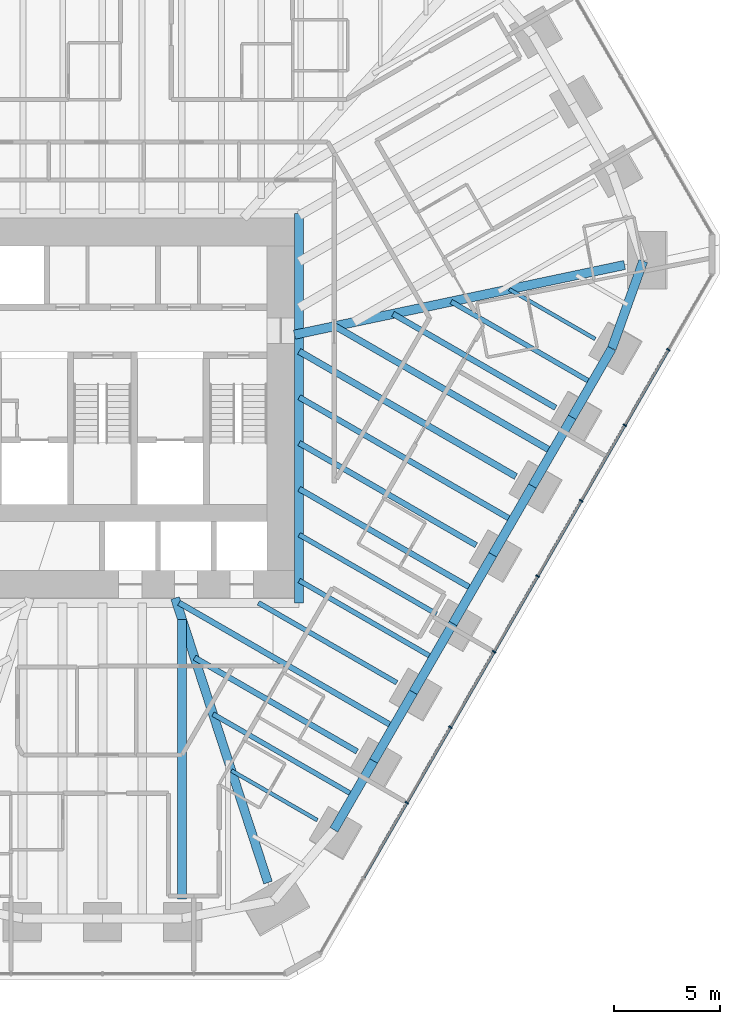
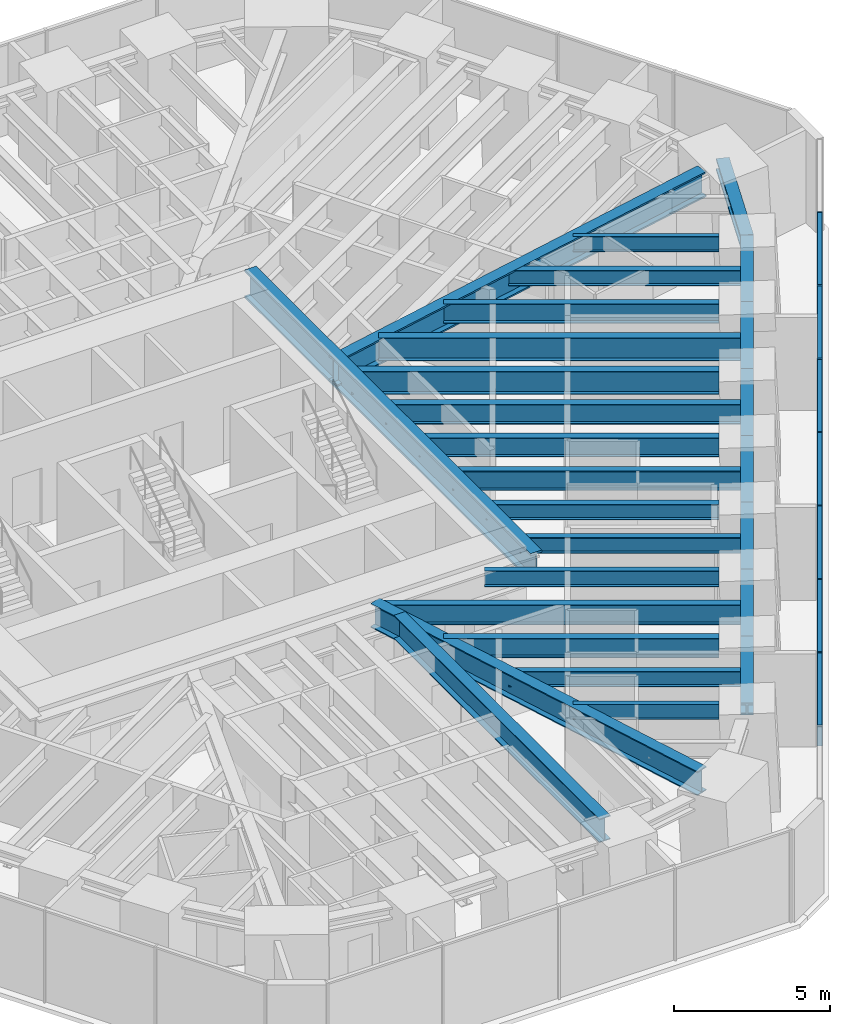
# One storey, part 5 of 17: 27 beams, 14 members, 1 element without a shape of its own.
"""IFC4 building model written with IfcOpenShell, lengths in metres."""

from ifc_helpers import new_model, si_unit, direction, frame, origin, origin_2d, place, context, subcontext, project, spatial, rectangle, i_section, extrude, material, material_profile, profile_set, type_object, element, aggregate, save


model = new_model("IFC4")

# Units and contexts
model_context = context("Model", 3, precision=1e-05, world=origin(), true_north=direction((0.0, 1.0)))
body_context = subcontext(model_context, "Body", "Model", "MODEL_VIEW")
ifc_project = project(units=[si_unit("LENGTHUNIT", "METRE"), si_unit("AREAUNIT", "SQUARE_METRE"), si_unit("VOLUMEUNIT", "CUBIC_METRE"), si_unit("PLANEANGLEUNIT", "RADIAN"), si_unit("MASSUNIT", "GRAM", prefix="KILO")], contexts=[model_context])

# Site, building, storey
site_placement = place(None, origin())
site = spatial("IfcSite", under=ifc_project, at=site_placement, CompositionType="ELEMENT")
building_placement = place(site_placement, origin())
building = spatial("IfcBuilding", under=site, at=building_placement, Name="Sandreach Pilgrim Tower", CompositionType="ELEMENT")
storey_placement = place(building_placement, frame((0.0, 0.0, 169.0)))
storey = spatial("IfcBuildingStorey", under=building, at=storey_placement, Name="L42", CompositionType="ELEMENT", Elevation=169.0)

# Beams
ifc_material_1 = material(Name="Steel ASTM A913 Grade 65", Category="steel")
ifc_material_profile_1 = material_profile(ifc_material_1, i_section(OverallWidth=0.4267578125, OverallDepth=0.482666015625, WebThickness=0.05126953125, FlangeThickness=0.08154296875, at=origin_2d()), Name="W14X455")
ifc_profile_set_1 = profile_set([ifc_material_profile_1], Name="Steel ASTM A913 Grade 65")
beam_type_1 = type_object("IfcBeamType", Name="Belt truss chord W14X455", PredefinedType="BEAM", material=ifc_profile_set_1)
beam_1_placement = place(storey_placement, frame((25.482177734375, 5.380126953125, 3.398681640625), z_axis=(-0.338362224063, -0.941015943184, 0.0), x_axis=(0.941015943184, -0.338362224063, 0.0)))
element("IfcBeam", 1, at=beam_1_placement, inside=storey, type_object=beam_type_1, Name="BM L42 BTB13", PredefinedType="BEAM", context=body_context, shape_type="SweptSolid", body=[
    extrude(i_section(OverallWidth=0.4267578125, OverallDepth=0.482666015625, WebThickness=0.05126953125, FlangeThickness=0.08154296875, at=origin_2d()), origin(), (0.0, 0.0, 1.0), 4.38037109375),
])
beam_2_placement = place(storey_placement, frame((24.0, 1.258056640625, 3.398681640625), z_axis=(-0.499993700073, -0.866029041019, 0.0), x_axis=(0.866029041019, -0.499993700073, 0.0)))
element("IfcBeam", 2, at=beam_2_placement, inside=storey, type_object=beam_type_1, Name="BM L42 BTB14", PredefinedType="BEAM", context=body_context, shape_type="SweptSolid", body=[
    extrude(i_section(OverallWidth=0.4267578125, OverallDepth=0.482666015625, WebThickness=0.05126953125, FlangeThickness=0.08154296875, at=origin_2d()), origin(), (0.0, 0.0, 1.0), 3.73974609375),
])
beam_3_placement = place(storey_placement, frame((22.130126953125, -1.980712890625, 3.398681640625), z_axis=(-0.500042659475, -0.866000772924, 0.0), x_axis=(0.866000772924, -0.500042659475, 0.0)))
element("IfcBeam", 3, at=beam_3_placement, inside=storey, type_object=beam_type_1, Name="BM L42 BTB15", PredefinedType="BEAM", context=body_context, shape_type="SweptSolid", body=[
    extrude(i_section(OverallWidth=0.4267578125, OverallDepth=0.482666015625, WebThickness=0.05126953125, FlangeThickness=0.08154296875, at=origin_2d()), origin(), (0.0, 0.0, 1.0), 3.739990234375),
])
beam_4_placement = place(storey_placement, frame((20.260009765625, -5.219482421875, 3.398681640625), z_axis=(-0.499993700073, -0.866029041019, 0.0), x_axis=(0.866029041019, -0.499993700073, 0.0)))
element("IfcBeam", 4, at=beam_4_placement, inside=storey, type_object=beam_type_1, Name="BM L42 BTB16", PredefinedType="BEAM", context=body_context, shape_type="SweptSolid", body=[
    extrude(i_section(OverallWidth=0.4267578125, OverallDepth=0.482666015625, WebThickness=0.05126953125, FlangeThickness=0.08154296875, at=origin_2d()), origin(), (0.0, 0.0, 1.0), 3.73974609375),
])
for number, where, z_axis, x_axis, name in (
    (5, (18.39013671875, -8.458251953125, 3.398681640625), (-0.499965433771, -0.866045359686, 0.0), (0.866045359686, -0.499965433771, 0.0), "BM L42 BTB17"),
    (6, (16.520263671875, -11.697265625, 3.398681640625), (-0.500042659475, -0.866000772924, 0.0), (0.866000772924, -0.500042659475, 0.0), "BM L42 BTB18"),
):
    element("IfcBeam", number, at=place(storey_placement, frame(where, z_axis=z_axis, x_axis=x_axis)), inside=storey, type_object=beam_type_1, Name=name, PredefinedType="BEAM", context=body_context, shape_type="SweptSolid", body=[
        extrude(i_section(OverallWidth=0.4267578125, OverallDepth=0.482666015625, WebThickness=0.05126953125, FlangeThickness=0.08154296875, at=origin_2d()), origin(), (0.0, 0.0, 1.0), 3.739990234375),
    ])
for number, where, z_axis, x_axis, name in (
    (7, (14.650146484375, -14.93603515625, 3.398681640625), (-0.499993700073, -0.866029041019, 0.0), (0.866029041019, -0.499993700073, 0.0), "BM L42 BTB19"),
    (8, (12.7802734375, -18.1748046875, 3.398681640625), (-0.499993700073, -0.866029041019, 0.0), (0.866029041019, -0.499993700073, 0.0), "BM L42 BTB20"),
):
    element("IfcBeam", number, at=place(storey_placement, frame(where, z_axis=z_axis, x_axis=x_axis)), inside=storey, type_object=beam_type_1, Name=name, PredefinedType="BEAM", context=body_context, shape_type="SweptSolid", body=[
        extrude(i_section(OverallWidth=0.4267578125, OverallDepth=0.482666015625, WebThickness=0.05126953125, FlangeThickness=0.08154296875, at=origin_2d()), origin(), (0.0, 0.0, 1.0), 3.73974609375),
    ])

# Curtain wall, members
ifc_material_2 = material(Name="Aluminium framed curtain wall", Category="aluminium")
curtain_wall_type = type_object("IfcCurtainWallType", Name="Hotel tower curtain wall", PredefinedType="NOTDEFINED", material=ifc_material_2)
curtain_wall_placement = place(storey_placement, origin())
curtain_wall = element("IfcCurtainWall", 9, at=curtain_wall_placement, inside=storey, type_object=curtain_wall_type, Name="CW-2 L42 SE", PredefinedType="NOTDEFINED")
ifc_material_3 = material(Name="Aluminium extrusion", Category="aluminium")
ifc_material_profile_2 = material_profile(ifc_material_3, rectangle(XDim=0.06494140625, YDim=0.179931640625, at=origin_2d()), Name="CW-2M 65X180")
ifc_profile_set_2 = profile_set([ifc_material_profile_2], Name="Aluminium extrusion")
member_type_1 = type_object("IfcMemberType", Name="CW-2 mullion", PredefinedType="MULLION", material=ifc_profile_set_2)
member_1_placement = place(storey_placement, frame((26.66748046875, 1.20166015625, 0.0), z_axis=(0.0, 0.0, 1.0), x_axis=(-0.5, -0.866025403784, 0.0)))
member_1 = element("IfcMember", 10, at=member_1_placement, type_object=member_type_1, Name="CW-2 mullion 2", PredefinedType="MULLION", context=body_context, shape_type="SweptSolid", body=[
    extrude(rectangle(XDim=0.06494140625, YDim=0.179931640625, at=origin_2d()), origin(), (0.0, 0.0, 1.0), 3.639892578125),
])
member_2_placement = place(storey_placement, frame((24.614013671875, -2.35498046875, 0.0), z_axis=(0.0, 0.0, 1.0), x_axis=(-0.5, -0.866025403784, 0.0)))
member_2 = element("IfcMember", 11, at=member_2_placement, type_object=member_type_1, Name="CW-2 mullion 3", PredefinedType="MULLION", context=body_context, shape_type="SweptSolid", body=[
    extrude(rectangle(XDim=0.06494140625, YDim=0.179931640625, at=origin_2d()), origin(), (0.0, 0.0, 1.0), 3.639892578125),
])
member_3_placement = place(storey_placement, frame((22.560302734375, -5.911865234375, 0.0), z_axis=(0.0, 0.0, 1.0), x_axis=(-0.5, -0.866025403784, 0.0)))
member_3 = element("IfcMember", 12, at=member_3_placement, type_object=member_type_1, Name="CW-2 mullion 4", PredefinedType="MULLION", context=body_context, shape_type="SweptSolid", body=[
    extrude(rectangle(XDim=0.06494140625, YDim=0.179931640625, at=origin_2d()), origin(), (0.0, 0.0, 1.0), 3.639892578125),
])
member_4_placement = place(storey_placement, frame((20.5068359375, -9.468505859375, 0.0), z_axis=(0.0, 0.0, 1.0), x_axis=(-0.5, -0.866025403784, 0.0)))
member_4 = element("IfcMember", 13, at=member_4_placement, type_object=member_type_1, Name="CW-2 mullion 5", PredefinedType="MULLION", context=body_context, shape_type="SweptSolid", body=[
    extrude(rectangle(XDim=0.06494140625, YDim=0.179931640625, at=origin_2d()), origin(), (0.0, 0.0, 1.0), 3.639892578125),
])
member_5_placement = place(storey_placement, frame((18.453369140625, -13.025146484375, 0.0), z_axis=(0.0, 0.0, 1.0), x_axis=(-0.5, -0.866025403784, 0.0)))
member_5 = element("IfcMember", 14, at=member_5_placement, type_object=member_type_1, Name="CW-2 mullion 6", PredefinedType="MULLION", context=body_context, shape_type="SweptSolid", body=[
    extrude(rectangle(XDim=0.06494140625, YDim=0.179931640625, at=origin_2d()), origin(), (0.0, 0.0, 1.0), 3.639892578125),
])
member_6_placement = place(storey_placement, frame((16.39990234375, -16.58203125, 0.0), z_axis=(0.0, 0.0, 1.0), x_axis=(-0.5, -0.866025403784, 0.0)))
member_6 = element("IfcMember", 15, at=member_6_placement, type_object=member_type_1, Name="CW-2 mullion 7", PredefinedType="MULLION", context=body_context, shape_type="SweptSolid", body=[
    extrude(rectangle(XDim=0.06494140625, YDim=0.179931640625, at=origin_2d()), origin(), (0.0, 0.0, 1.0), 3.639892578125),
])
member_7_placement = place(storey_placement, frame((14.346435546875, -20.138671875, 0.0), z_axis=(0.0, 0.0, 1.0), x_axis=(-0.5, -0.866025403784, 0.0)))
member_7 = element("IfcMember", 16, at=member_7_placement, type_object=member_type_1, Name="CW-2 mullion 8", PredefinedType="MULLION", context=body_context, shape_type="SweptSolid", body=[
    extrude(rectangle(XDim=0.06494140625, YDim=0.179931640625, at=origin_2d()), origin(), (0.0, 0.0, 1.0), 3.639892578125),
])
ifc_material_4 = material(Name="Aluminium extrusion", Category="aluminium")
ifc_material_profile_3 = material_profile(ifc_material_4, rectangle(XDim=0.139892578125, YDim=0.070068359375, at=origin_2d()), Name="CW-2T 140X70")
ifc_profile_set_3 = profile_set([ifc_material_profile_3], Name="Aluminium extrusion")
member_type_2 = type_object("IfcMemberType", Name="CW-2 transom", PredefinedType="USERDEFINED", material=ifc_profile_set_3)
member_8_placement = place(storey_placement, frame((26.651123046875, 1.173583984375, 3.60498046875), z_axis=(-0.499997818338, -0.866026663364, 0.0), x_axis=(0.866026663364, -0.499997818338, 0.0)))
member_8 = element("IfcMember", 17, at=member_8_placement, type_object=member_type_2, Name="CW-2 head transom 2", ObjectType="TRANSOM", PredefinedType="USERDEFINED", context=body_context, shape_type="SweptSolid", body=[
    extrude(rectangle(XDim=0.139892578125, YDim=0.070068359375, at=origin_2d()), origin(), (0.0, 0.0, 1.0), 4.0419921875),
])
member_9_placement = place(storey_placement, frame((24.59765625, -2.38330078125, 3.60498046875), z_axis=(-0.500023973715, -0.866011562111, 0.0), x_axis=(0.866011562111, -0.500023973715, 0.0)))
member_9 = element("IfcMember", 18, at=member_9_placement, type_object=member_type_2, Name="CW-2 head transom 3", ObjectType="TRANSOM", PredefinedType="USERDEFINED", context=body_context, shape_type="SweptSolid", body=[
    extrude(rectangle(XDim=0.139892578125, YDim=0.070068359375, at=origin_2d()), origin(), (0.0, 0.0, 1.0), 4.041748046875),
])
member_10_placement = place(storey_placement, frame((22.544189453125, -5.93994140625, 3.60498046875), z_axis=(-0.499997818338, -0.866026663364, 0.0), x_axis=(0.866026663364, -0.499997818338, 0.0)))
member_10 = element("IfcMember", 19, at=member_10_placement, type_object=member_type_2, Name="CW-2 head transom 4", ObjectType="TRANSOM", PredefinedType="USERDEFINED", context=body_context, shape_type="SweptSolid", body=[
    extrude(rectangle(XDim=0.139892578125, YDim=0.070068359375, at=origin_2d()), origin(), (0.0, 0.0, 1.0), 4.0419921875),
])
member_11_placement = place(storey_placement, frame((20.49072265625, -9.49658203125, 3.60498046875), z_axis=(-0.499997818338, -0.866026663364, 0.0), x_axis=(0.866026663364, -0.499997818338, 0.0)))
member_11 = element("IfcMember", 20, at=member_11_placement, type_object=member_type_2, Name="CW-2 head transom 5", ObjectType="TRANSOM", PredefinedType="USERDEFINED", context=body_context, shape_type="SweptSolid", body=[
    extrude(rectangle(XDim=0.139892578125, YDim=0.070068359375, at=origin_2d()), origin(), (0.0, 0.0, 1.0), 4.0419921875),
])
member_12_placement = place(storey_placement, frame((18.437255859375, -13.053466796875, 3.60498046875), z_axis=(-0.499997818338, -0.866026663364, 0.0), x_axis=(0.866026663364, -0.499997818338, 0.0)))
member_12 = element("IfcMember", 21, at=member_12_placement, type_object=member_type_2, Name="CW-2 head transom 6", ObjectType="TRANSOM", PredefinedType="USERDEFINED", context=body_context, shape_type="SweptSolid", body=[
    extrude(rectangle(XDim=0.139892578125, YDim=0.070068359375, at=origin_2d()), origin(), (0.0, 0.0, 1.0), 4.0419921875),
])
member_13_placement = place(storey_placement, frame((16.3837890625, -16.610107421875, 3.60498046875), z_axis=(-0.499997818338, -0.866026663364, 0.0), x_axis=(0.866026663364, -0.499997818338, 0.0)))
member_13 = element("IfcMember", 22, at=member_13_placement, type_object=member_type_2, Name="CW-2 head transom 7", ObjectType="TRANSOM", PredefinedType="USERDEFINED", context=body_context, shape_type="SweptSolid", body=[
    extrude(rectangle(XDim=0.139892578125, YDim=0.070068359375, at=origin_2d()), origin(), (0.0, 0.0, 1.0), 4.0419921875),
])
member_14_placement = place(storey_placement, frame((14.330322265625, -20.1669921875, 3.60498046875), z_axis=(-0.500023973715, -0.866011562111, 0.0), x_axis=(0.866011562111, -0.500023973715, 0.0)))
member_14 = element("IfcMember", 23, at=member_14_placement, type_object=member_type_2, Name="CW-2 head transom 8", ObjectType="TRANSOM", PredefinedType="USERDEFINED", context=body_context, shape_type="SweptSolid", body=[
    extrude(rectangle(XDim=0.139892578125, YDim=0.070068359375, at=origin_2d()), origin(), (0.0, 0.0, 1.0), 4.041748046875),
])
aggregate(curtain_wall, [member_1, member_2, member_3, member_4, member_5, member_6, member_7, member_8, member_9, member_10, member_11, member_12, member_13, member_14])

# Beams
ifc_material_5 = material(Name="Steel ASTM A992 Grade 50", Category="steel")
ifc_material_profile_4 = material_profile(ifc_material_5, i_section(OverallWidth=0.424072265625, OverallDepth=1.09228515625, WebThickness=0.04541015625, FlangeThickness=0.08203125, at=origin_2d()), Name="W40X593")
ifc_profile_set_4 = profile_set([ifc_material_profile_4], Name="Steel ASTM A992 Grade 50")
beam_type_2 = type_object("IfcBeamType", Name="Core edge beam W40X593", PredefinedType="BEAM", material=ifc_profile_set_4)
beam_5_placement = place(storey_placement, frame((9.27197265625, 7.6220703125, 3.093994140625), z_axis=(0.0, -1.0, 0.0), x_axis=(1.0, 0.0, 0.0)))
element("IfcBeam", 24, at=beam_5_placement, inside=storey, type_object=beam_type_2, Name="BM L42 CEE", PredefinedType="BEAM", context=body_context, shape_type="SweptSolid", body=[
    extrude(i_section(OverallWidth=0.424072265625, OverallDepth=1.09228515625, WebThickness=0.04541015625, FlangeThickness=0.08203125, at=origin_2d()), origin(), (0.0, 0.0, 1.0), 18.34423828125),
])
ifc_material_6 = material(Name="Steel ASTM A992 Grade 50", Category="steel")
ifc_material_profile_5 = material_profile(ifc_material_6, i_section(OverallWidth=0.421630859375, OverallDepth=0.937255859375, WebThickness=0.0224609375, FlangeThickness=0.039794921875, at=origin_2d()), Name="W36X282")
ifc_profile_set_5 = profile_set([ifc_material_profile_5], Name="Steel ASTM A992 Grade 50")
beam_type_3 = type_object("IfcBeamType", Name="Corner girder W36X282", PredefinedType="BEAM", material=ifc_profile_set_5)
beam_6_placement = place(storey_placement, frame((7.802490234375, -23.90283203125, 3.17138671875), z_axis=(-0.310309808496, 0.950635483638, 0.0), x_axis=(-0.950635483638, -0.310309808496, 0.0)))
element("IfcBeam", 25, at=beam_6_placement, inside=storey, type_object=beam_type_3, Name="BM L42 CG22", PredefinedType="BEAM", context=body_context, shape_type="SweptSolid", body=[
    extrude(i_section(OverallWidth=0.421630859375, OverallDepth=0.937255859375, WebThickness=0.0224609375, FlangeThickness=0.039794921875, at=origin_2d()), origin(), (0.0, 0.0, 1.0), 14.098876953125),
])
ifc_material_7 = material(Name="Steel ASTM A992 Grade 50", Category="steel")
ifc_material_profile_6 = material_profile(ifc_material_7, i_section(OverallWidth=0.431884765625, OverallDepth=0.988037109375, WebThickness=0.034423828125, FlangeThickness=0.06201171875, at=origin_2d()), Name="W36X441")
ifc_profile_set_6 = profile_set([ifc_material_profile_6], Name="Steel ASTM A992 Grade 50")
beam_type_4 = type_object("IfcBeamType", Name="Corner girder W36X441", PredefinedType="BEAM", material=ifc_profile_set_6)
beam_7_placement = place(storey_placement, frame((24.6015625, 5.194091796875, 3.14599609375), z_axis=(-0.9784298344, -0.206579425781, 0.0), x_axis=(0.206579425781, -0.9784298344, 0.0)))
element("IfcBeam", 26, at=beam_7_placement, inside=storey, type_object=beam_type_4, Name="BM L42 CG13", PredefinedType="BEAM", context=body_context, shape_type="SweptSolid", body=[
    extrude(i_section(OverallWidth=0.431884765625, OverallDepth=0.988037109375, WebThickness=0.034423828125, FlangeThickness=0.06201171875, at=origin_2d()), origin(), (0.0, 0.0, 1.0), 15.894287109375),
])
ifc_material_8 = material(Name="Steel ASTM A992 Grade 50", Category="steel")
ifc_material_profile_7 = material_profile(ifc_material_8, i_section(OverallWidth=0.1787109375, OverallDepth=0.60205078125, WebThickness=0.010986328125, FlangeThickness=0.014892578125, at=origin_2d()), Name="W24X62")
ifc_profile_set_7 = profile_set([ifc_material_profile_7], Name="Steel ASTM A992 Grade 50")
beam_type_5 = type_object("IfcBeamType", Name="Floor beam W24X62", PredefinedType="BEAM", material=ifc_profile_set_7)
for number, where, z_axis, x_axis, name in (
    (27, (23.220458984375, 1.708251953125, 3.339111328125), (-0.866037841179, 0.499978457183, 0.0), (-0.499978457183, -0.866037841179, 0.0), "BM L42 F14"),
    (28, (10.130859375, -20.963623046875, 3.339111328125), (-0.866015242679, 0.500017599138, 0.0), (-0.500017599138, -0.866015242679, 0.0), "BM L42 F21"),
):
    element("IfcBeam", number, at=place(storey_placement, frame(where, z_axis=z_axis, x_axis=x_axis)), inside=storey, type_object=beam_type_5, Name=name, PredefinedType="BEAM", context=body_context, shape_type="SweptSolid", body=[
        extrude(i_section(OverallWidth=0.1787109375, OverallDepth=0.60205078125, WebThickness=0.010986328125, FlangeThickness=0.014892578125, at=origin_2d()), origin(), (0.0, 0.0, 1.0), 4.677978515625),
    ])
ifc_material_9 = material(Name="Steel ASTM A992 Grade 50", Category="steel")
ifc_material_profile_8 = material_profile(ifc_material_9, i_section(OverallWidth=0.23046875, OverallDepth=0.6171875, WebThickness=0.01318359375, FlangeThickness=0.022216796875, at=origin_2d()), Name="W24X94")
ifc_profile_set_8 = profile_set([ifc_material_profile_8], Name="Steel ASTM A992 Grade 50")
beam_type_6 = type_object("IfcBeamType", Name="Floor beam W24X94", PredefinedType="BEAM", material=ifc_profile_set_8)
beam_8_placement = place(storey_placement, frame((15.74072265625, -11.2470703125, 3.331298828125), z_axis=(-0.866032094379, 0.499988411372, 0.0), x_axis=(-0.499988411372, -0.866032094379, 0.0)))
element("IfcBeam", 29, at=beam_8_placement, inside=storey, type_object=beam_type_6, Name="BM L42 F18", PredefinedType="BEAM", context=body_context, shape_type="SweptSolid", body=[
    extrude(i_section(OverallWidth=0.23046875, OverallDepth=0.6171875, WebThickness=0.01318359375, FlangeThickness=0.022216796875, at=origin_2d()), origin(), (0.0, 0.0, 1.0), 7.469482421875),
])
beam_9_placement = place(storey_placement, frame((13.870849609375, -14.486083984375, 3.331298828125), z_axis=(-0.866025182435, 0.500000383388, 0.0), x_axis=(-0.500000383388, -0.866025182435, 0.0)))
element("IfcBeam", 30, at=beam_9_placement, inside=storey, type_object=beam_type_6, Name="BM L42 F19", PredefinedType="BEAM", context=body_context, shape_type="SweptSolid", body=[
    extrude(i_section(OverallWidth=0.23046875, OverallDepth=0.6171875, WebThickness=0.01318359375, FlangeThickness=0.022216796875, at=origin_2d()), origin(), (0.0, 0.0, 1.0), 7.52783203125),
])
beam_10_placement = place(storey_placement, frame((23.06494140625, -0.361328125, 3.331298828125), z_axis=(-0.866024247554, 0.500002002645, 0.0), x_axis=(-0.500002002645, -0.866024247554, 0.0)))
element("IfcBeam", 31, at=beam_10_placement, inside=storey, type_object=beam_type_6, Name="BM L42 FM14", PredefinedType="BEAM", context=body_context, shape_type="SweptSolid", body=[
    extrude(i_section(OverallWidth=0.23046875, OverallDepth=0.6171875, WebThickness=0.01318359375, FlangeThickness=0.022216796875, at=origin_2d()), origin(), (0.0, 0.0, 1.0), 7.66064453125),
])
beam_11_placement = place(storey_placement, frame((15.585205078125, -13.316650390625, 3.331298828125), z_axis=(-0.866021062117, 0.500007519912, 0.0), x_axis=(-0.500007519912, -0.866021062117, 0.0)))
element("IfcBeam", 32, at=beam_11_placement, inside=storey, type_object=beam_type_6, Name="BM L42 FM18", PredefinedType="BEAM", context=body_context, shape_type="SweptSolid", body=[
    extrude(i_section(OverallWidth=0.23046875, OverallDepth=0.6171875, WebThickness=0.01318359375, FlangeThickness=0.022216796875, at=origin_2d()), origin(), (0.0, 0.0, 1.0), 7.2900390625),
])
beam_12_placement = place(storey_placement, frame((11.845458984375, -19.794189453125, 3.331298828125), z_axis=(-0.866032214685, 0.499988202988, 0.0), x_axis=(-0.499988202988, -0.866032214685, 0.0)))
element("IfcBeam", 33, at=beam_12_placement, inside=storey, type_object=beam_type_6, Name="BM L42 FM20", PredefinedType="BEAM", context=body_context, shape_type="SweptSolid", body=[
    extrude(i_section(OverallWidth=0.23046875, OverallDepth=0.6171875, WebThickness=0.01318359375, FlangeThickness=0.022216796875, at=origin_2d()), origin(), (0.0, 0.0, 1.0), 7.660888671875),
])
ifc_material_10 = material(Name="Steel ASTM A992 Grade 50", Category="steel")
ifc_material_profile_9 = material_profile(ifc_material_10, i_section(OverallWidth=0.2666015625, OverallDepth=0.761962890625, WebThickness=0.014404296875, FlangeThickness=0.021484375, at=origin_2d()), Name="W30X116")
ifc_profile_set_9 = profile_set([ifc_material_profile_9], Name="Steel ASTM A992 Grade 50")
beam_type_7 = type_object("IfcBeamType", Name="Floor beam W30X116", PredefinedType="BEAM", material=ifc_profile_set_9)
beam_13_placement = place(storey_placement, frame((21.3505859375, -1.53076171875, 3.259033203125), z_axis=(-0.866024215439, 0.500002058268, 0.0), x_axis=(-0.500002058268, -0.866024215439, 0.0)))
element("IfcBeam", 34, at=beam_13_placement, inside=storey, type_object=beam_type_7, Name="BM L42 F15", PredefinedType="BEAM", context=body_context, shape_type="SweptSolid", body=[
    extrude(i_section(OverallWidth=0.2666015625, OverallDepth=0.761962890625, WebThickness=0.014404296875, FlangeThickness=0.021484375, at=origin_2d()), origin(), (0.0, 0.0, 1.0), 8.84326171875),
])
beam_14_placement = place(storey_placement, frame((17.610595703125, -8.00830078125, 3.259033203125), z_axis=(-0.866029778435, 0.499992422807, 0.0), x_axis=(-0.499992422807, -0.866029778435, 0.0)))
element("IfcBeam", 35, at=beam_14_placement, inside=storey, type_object=beam_type_7, Name="BM L42 F17", PredefinedType="BEAM", context=body_context, shape_type="SweptSolid", body=[
    extrude(i_section(OverallWidth=0.2666015625, OverallDepth=0.761962890625, WebThickness=0.014404296875, FlangeThickness=0.021484375, at=origin_2d()), origin(), (0.0, 0.0, 1.0), 9.628662109375),
])
beam_15_placement = place(storey_placement, frame((12.0009765625, -17.724853515625, 3.259033203125), z_axis=(-0.866024215439, 0.500002058268, 0.0), x_axis=(-0.500002058268, -0.866024215439, 0.0)))
element("IfcBeam", 36, at=beam_15_placement, inside=storey, type_object=beam_type_7, Name="BM L42 F20", PredefinedType="BEAM", context=body_context, shape_type="SweptSolid", body=[
    extrude(i_section(OverallWidth=0.2666015625, OverallDepth=0.761962890625, WebThickness=0.014404296875, FlangeThickness=0.021484375, at=origin_2d()), origin(), (0.0, 0.0, 1.0), 8.84326171875),
])
beam_16_placement = place(storey_placement, frame((17.455078125, -10.07763671875, 3.259033203125), z_axis=(-0.866032411066, 0.499987862836, 0.0), x_axis=(-0.499987862836, -0.866032411066, 0.0)))
element("IfcBeam", 37, at=beam_16_placement, inside=storey, type_object=beam_type_7, Name="BM L42 FM17", PredefinedType="BEAM", context=body_context, shape_type="SweptSolid", body=[
    extrude(i_section(OverallWidth=0.2666015625, OverallDepth=0.761962890625, WebThickness=0.014404296875, FlangeThickness=0.021484375, at=origin_2d()), origin(), (0.0, 0.0, 1.0), 9.448974609375),
])
ifc_material_11 = material(Name="Steel ASTM A992 Grade 50", Category="steel")
ifc_material_profile_10 = material_profile(ifc_material_11, i_section(OverallWidth=0.2666015625, OverallDepth=0.77978515625, WebThickness=0.0166015625, FlangeThickness=0.030029296875, at=origin_2d()), Name="W30X148")
ifc_profile_set_10 = profile_set([ifc_material_profile_10], Name="Steel ASTM A992 Grade 50")
beam_type_8 = type_object("IfcBeamType", Name="Floor beam W30X148", PredefinedType="BEAM", material=ifc_profile_set_10)
beam_17_placement = place(storey_placement, frame((19.3251953125, -6.8388671875, 3.25), z_axis=(-0.866035688809, 0.499982185392, 0.0), x_axis=(-0.499982185392, -0.866035688809, 0.0)))
element("IfcBeam", 38, at=beam_17_placement, inside=storey, type_object=beam_type_8, Name="BM L42 FM16", PredefinedType="BEAM", context=body_context, shape_type="SweptSolid", body=[
    extrude(i_section(OverallWidth=0.2666015625, OverallDepth=0.77978515625, WebThickness=0.0166015625, FlangeThickness=0.030029296875, at=origin_2d()), origin(), (0.0, 0.0, 1.0), 11.6083984375),
])
beam_18_placement = place(storey_placement, frame((13.71533203125, -16.555419921875, 3.25), z_axis=(-0.866025979552, 0.499999002741, 0.0), x_axis=(-0.499999002741, -0.866025979552, 0.0)))
element("IfcBeam", 39, at=beam_18_placement, inside=storey, type_object=beam_type_8, Name="BM L42 FM19", PredefinedType="BEAM", context=body_context, shape_type="SweptSolid", body=[
    extrude(i_section(OverallWidth=0.2666015625, OverallDepth=0.77978515625, WebThickness=0.0166015625, FlangeThickness=0.030029296875, at=origin_2d()), origin(), (0.0, 0.0, 1.0), 11.66650390625),
])
ifc_material_12 = material(Name="Steel ASTM A992 Grade 50", Category="steel")
ifc_material_profile_11 = material_profile(ifc_material_12, i_section(OverallWidth=0.3046875, OverallDepth=0.914306640625, WebThickness=0.0166015625, FlangeThickness=0.02587890625, at=origin_2d()), Name="W36X160")
ifc_profile_set_11 = profile_set([ifc_material_profile_11], Name="Steel ASTM A992 Grade 50")
beam_type_9 = type_object("IfcBeamType", Name="Floor beam W36X160", PredefinedType="BEAM", material=ifc_profile_set_11)
beam_19_placement = place(storey_placement, frame((19.480712890625, -4.76953125, 3.182861328125), z_axis=(-0.866024520484, 0.500001529918, 0.0), x_axis=(-0.500001529918, -0.866024520484, 0.0)))
element("IfcBeam", 40, at=beam_19_placement, inside=storey, type_object=beam_type_9, Name="BM L42 F16", PredefinedType="BEAM", context=body_context, shape_type="SweptSolid", body=[
    extrude(i_section(OverallWidth=0.3046875, OverallDepth=0.914306640625, WebThickness=0.0166015625, FlangeThickness=0.02587890625, at=origin_2d()), origin(), (0.0, 0.0, 1.0), 11.7880859375),
])
beam_20_placement = place(storey_placement, frame((21.195068359375, -3.60009765625, 3.182861328125), z_axis=(-0.866022624374, 0.500004814049, 0.0), x_axis=(-0.500004814049, -0.866022624374, 0.0)))
element("IfcBeam", 41, at=beam_20_placement, inside=storey, type_object=beam_type_9, Name="BM L42 FM15", PredefinedType="BEAM", context=body_context, shape_type="SweptSolid", body=[
    extrude(i_section(OverallWidth=0.3046875, OverallDepth=0.914306640625, WebThickness=0.0166015625, FlangeThickness=0.02587890625, at=origin_2d()), origin(), (0.0, 0.0, 1.0), 11.82568359375),
])
ifc_material_13 = material(Name="Steel ASTM A992 Grade 50", Category="steel")
ifc_material_profile_12 = material_profile(ifc_material_13, i_section(OverallWidth=0.419189453125, OverallDepth=0.927001953125, WebThickness=0.019287109375, FlangeThickness=0.031982421875, at=origin_2d()), Name="W36X231")
ifc_profile_set_12 = profile_set([ifc_material_profile_12], Name="Steel ASTM A992 Grade 50")
beam_type_10 = type_object("IfcBeamType", Name="Floor beam W36X231", PredefinedType="BEAM", material=ifc_profile_set_12)
beam_21_placement = place(storey_placement, frame((3.75732421875, -24.684326171875, 3.176513671875), z_axis=(0.0, 1.0, 0.0), x_axis=(-1.0, 0.0, 0.0)))
element("IfcBeam", 42, at=beam_21_placement, inside=storey, type_object=beam_type_10, Name="BM L42 F23", PredefinedType="BEAM", context=body_context, shape_type="SweptSolid", body=[
    extrude(i_section(OverallWidth=0.419189453125, OverallDepth=0.927001953125, WebThickness=0.019287109375, FlangeThickness=0.031982421875, at=origin_2d()), origin(), (0.0, 0.0, 1.0), 13.174072265625),
])

save(model, "model.ifc")
